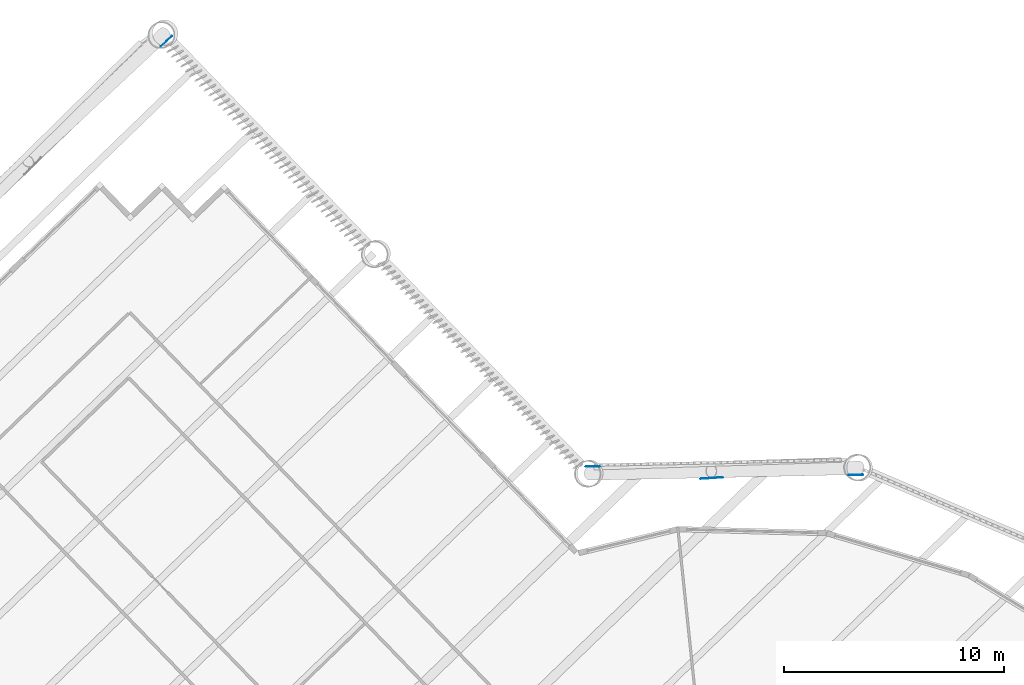
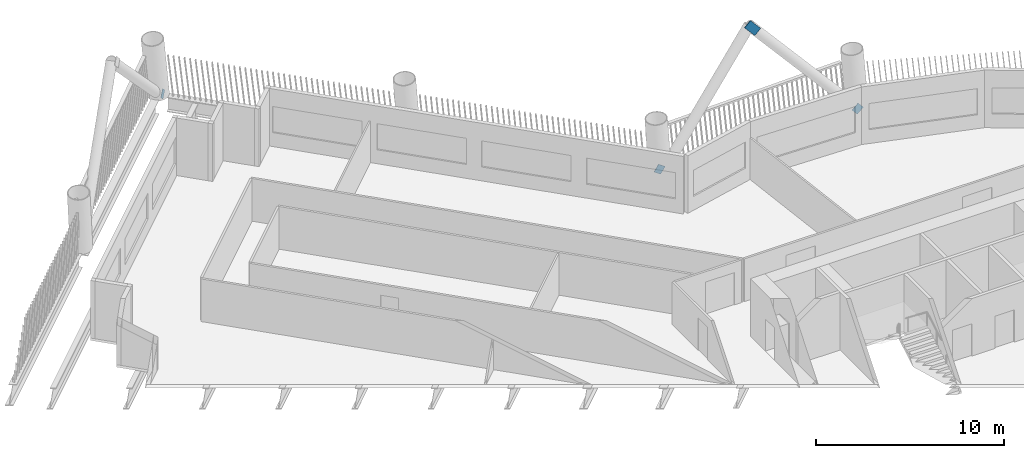
# One storey, part 13 of 22: 4 discrete accessories.
"""IFC4 building model written with IfcOpenShell, lengths in metres."""

from ifc_helpers import new_model, si_unit, direction, frame, origin, origin_2d, place, context, subcontext, project, spatial, rectangle, extrude, material, material_profile, profile_set, type_object, element, save


model = new_model("IFC4")

# Units and contexts
model_context = context("Model", 3, precision=1e-05, world=origin(), true_north=direction((0.0, 1.0)))
body_context = subcontext(model_context, "Body", "Model", "MODEL_VIEW")
ifc_project = project(units=[si_unit("LENGTHUNIT", "METRE"), si_unit("AREAUNIT", "SQUARE_METRE"), si_unit("VOLUMEUNIT", "CUBIC_METRE"), si_unit("PLANEANGLEUNIT", "RADIAN"), si_unit("MASSUNIT", "GRAM", prefix="KILO")], contexts=[model_context])

# Site, building, storey
site_placement = place(None, origin())
site = spatial("IfcSite", under=ifc_project, at=site_placement, CompositionType="ELEMENT")
building_placement = place(site_placement, origin())
building = spatial("IfcBuilding", under=site, at=building_placement, Name="Tarsis Ring Headquarters", CompositionType="ELEMENT")
storey_placement = place(building_placement, frame((0.0, 0.0, 71.199951171875)))
storey = spatial("IfcBuildingStorey", under=building, at=storey_placement, Name="L15", CompositionType="ELEMENT", Elevation=71.199951171875)

# Discrete accessories
ifc_material = material(Name="Structural steel S355", Category="steel")
ifc_material_profile = material_profile(ifc_material, rectangle(XDim=0.02490234375, YDim=0.5, at=origin_2d()), Name="PL 25x500")
ifc_profile_set = profile_set([ifc_material_profile], Name="Structural steel S355")
discrete_accessory_type = type_object("IfcDiscreteAccessoryType", Name="Gusset plate Exo brace 25", PredefinedType="BRACKET", material=ifc_profile_set)
discrete_accessory_1_placement = place(storey_placement, frame((5.535888671875, 28.2001953125, 0.0), z_axis=(-0.652333096396, -0.014159924997, 0.757800123957), x_axis=(0.021701474822, -0.999764495264, 0.0)))
element("IfcDiscreteAccessory", 1, at=discrete_accessory_1_placement, inside=storey, type_object=discrete_accessory_type, Name="Gusset plate GP5", PredefinedType="BRACKET", context=body_context, shape_type="SweptSolid", body=[
    extrude(rectangle(XDim=0.02490234375, YDim=0.5, at=origin_2d()), origin(), (0.0, 0.0, 1.0), 0.5),
])
discrete_accessory_2_placement = place(storey_placement, frame((-0.83984375, 28.0751953125, 7.42333984375), z_axis=(-0.656214798839, -0.042478190103, 0.753377555513), x_axis=(0.064596945651, -0.997911436257, 0.0)))
element("IfcDiscreteAccessory", 2, at=discrete_accessory_2_placement, inside=storey, type_object=discrete_accessory_type, Name="Gusset plate GP5", PredefinedType="BRACKET", context=body_context, shape_type="SweptSolid", body=[
    extrude(rectangle(XDim=0.02490234375, YDim=0.5, at=origin_2d()), origin(), (0.0, 0.0, 1.0), 1.0),
])
discrete_accessory_3_placement = place(storey_placement, frame((-6.723388671875, 28.578369140625, 0.0), z_axis=(0.578099570984, 0.011718234547, 0.815882080332), x_axis=(-0.02026610719, 0.999794621359, 0.0)))
element("IfcDiscreteAccessory", 3, at=discrete_accessory_3_placement, inside=storey, type_object=discrete_accessory_type, Name="Gusset plate GP5", PredefinedType="BRACKET", context=body_context, shape_type="SweptSolid", body=[
    extrude(rectangle(XDim=0.02490234375, YDim=0.5, at=origin_2d()), origin(), (0.0, 0.0, 1.0), 0.5),
])
discrete_accessory_4_placement = place(storey_placement, frame((-25.815185546875, 48.0302734375, 0.0), z_axis=(-0.538874377299, -0.503242285322, 0.67554541502), x_axis=(0.682530504524, -0.730857106687, 0.0)))
element("IfcDiscreteAccessory", 4, at=discrete_accessory_4_placement, inside=storey, type_object=discrete_accessory_type, Name="Gusset plate GP5", PredefinedType="BRACKET", context=body_context, shape_type="SweptSolid", body=[
    extrude(rectangle(XDim=0.02490234375, YDim=0.5, at=origin_2d()), origin(), (0.0, 0.0, 1.0), 0.500244140625),
])

save(model, "model.ifc")
